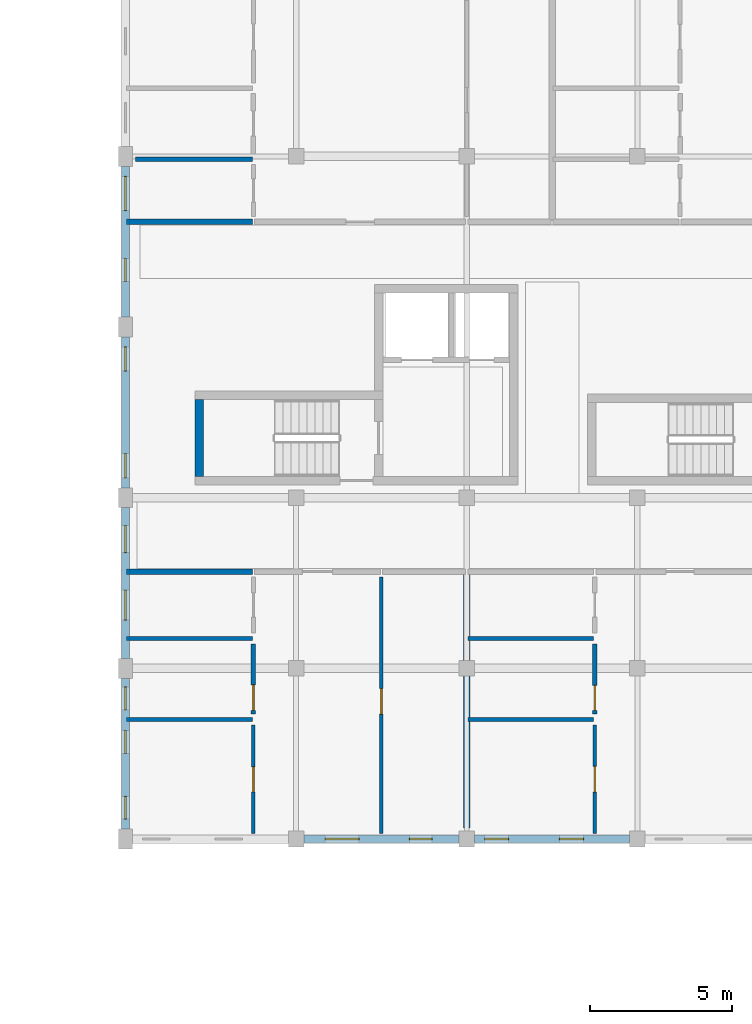
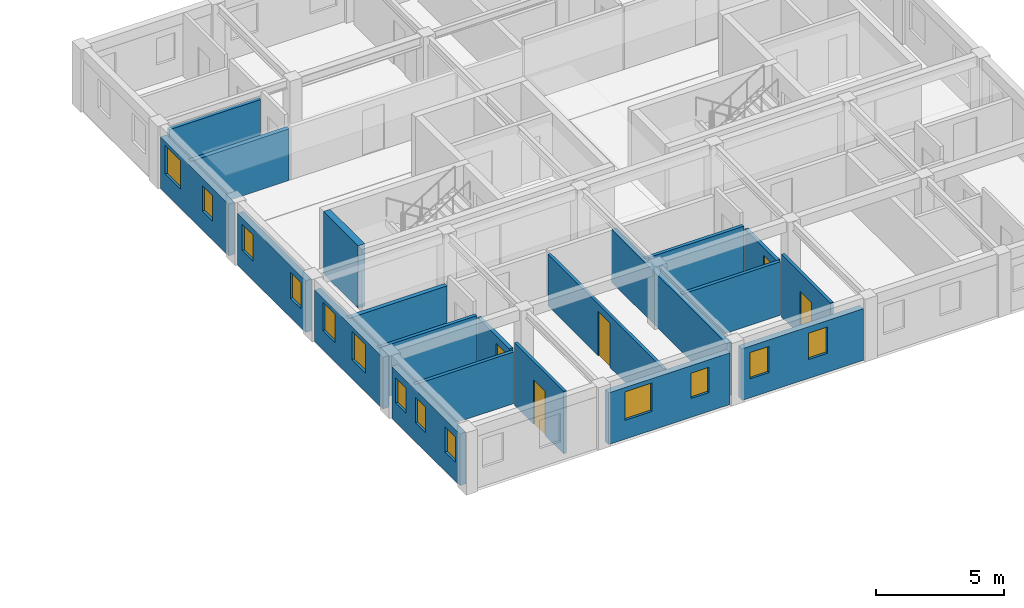
# One storey, part 20 of 28: 20 walls, 13 windows, 5 doors, 18 openings.
"""IFC4 building model written with IfcOpenShell, lengths in metres."""

import ifcopenshell
import ifcopenshell.guid

model = None  # the IFC model being written
_history = None  # IfcOwnerHistory: only IFC2X3 demands one
_inside = {}  # id of a spatial element -> (the spatial element, [elements in it])
_under = {}  # id of a project, library or spatial element -> (it, [spatial elements below it])
_declared = {}  # id of a project -> (the project, [libraries it declares])
_typed = {}  # id of a type object -> (the type object, [elements of that type])
_made_of = {}  # id of a material, layer set ... -> (it, [elements and type objects made of it])


def new_model(schema):
    """Start an empty IFC model of exactly this schema.

    Asked for "IFC4X3", IfcOpenShell would pick the latest addendum, in which some entities
    have other attributes; the version numbers below select the first issue.
    IFC2X3 requires an IfcOwnerHistory on every rooted entity: one is made here for all.
    """
    global model, _history
    if schema == "IFC4X3":
        model = ifcopenshell.file(schema_version=(4, 3, 0, 0))
    else:
        model = ifcopenshell.file(schema=schema)
    _inside.clear()
    _under.clear()
    _declared.clear()
    _typed.clear()
    _made_of.clear()
    _history = None
    if model.schema == "IFC2X3":
        org = make("IfcOrganization", Name="unknown")
        user = make(
            "IfcPersonAndOrganization",
            ThePerson=make("IfcPerson", FamilyName="unknown"),
            TheOrganization=org,
        )
        app = make(
            "IfcApplication",
            ApplicationDeveloper=org,
            Version="unknown",
            ApplicationFullName="unknown",
            ApplicationIdentifier="unknown",
        )
        _history = make(
            "IfcOwnerHistory",
            OwningUser=user,
            OwningApplication=app,
            ChangeAction="ADDED",
            CreationDate=0,
        )
    return model


def make(cls, **values):
    """One entity of the class cls with the attributes given. An attribute that is None is left unset."""
    return model.create_entity(
        cls, **{name: value for name, value in values.items() if value is not None}
    )


def rooted(cls, **values):
    """An entity with a GlobalId (a new one), such as an element, a storey or a relation."""
    return make(cls, GlobalId=ifcopenshell.guid.new(), OwnerHistory=_history, **values)


def si_unit(unit_type, name, prefix=None):
    """IfcSIUnit, for example si_unit("LENGTHUNIT", "METRE", prefix="MILLI")."""
    return make("IfcSIUnit", UnitType=unit_type, Prefix=prefix, Name=name)


def assignment(units):
    """IfcUnitAssignment: the units of a project."""
    return None if units is None else make("IfcUnitAssignment", Units=units)


def point(xyz):
    """IfcCartesianPoint."""
    return None if xyz is None else make("IfcCartesianPoint", Coordinates=xyz)


def direction(xyz):
    """IfcDirection."""
    return None if xyz is None else make("IfcDirection", DirectionRatios=xyz)


def frame(location, z_axis=None, x_axis=None):
    """IfcAxis2Placement3D, a coordinate frame: its origin and axes. An axis left out is left unset."""
    return make(
        "IfcAxis2Placement3D",
        Location=point(location),
        Axis=direction(z_axis),
        RefDirection=direction(x_axis),
    )


def frame_2d(location, x_axis=None):
    """IfcAxis2Placement2D, a coordinate frame in the plane: its origin and x axis."""
    return make(
        "IfcAxis2Placement2D", Location=point(location), RefDirection=direction(x_axis)
    )


def origin():
    """The frame at (0, 0, 0) with its axes left unset."""
    return frame((0.0, 0.0, 0.0))


def place(relative_to, where):
    """IfcLocalPlacement: puts the frame where relative to a parent placement (None: the world)."""
    return make(
        "IfcLocalPlacement", PlacementRelTo=relative_to, RelativePlacement=where
    )


def context(
    kind, dimensions, precision=None, world=None, true_north=None, identifier=None
):
    """IfcGeometricRepresentationContext, for example the 3D "Model" context."""
    return make(
        "IfcGeometricRepresentationContext",
        ContextIdentifier=identifier,
        ContextType=kind,
        CoordinateSpaceDimension=dimensions,
        Precision=precision,
        WorldCoordinateSystem=world,
        TrueNorth=true_north,
    )


def subcontext(parent, identifier, kind, view, scale=None):
    """IfcGeometricRepresentationSubContext, for example "Body" below "Model"."""
    return make(
        "IfcGeometricRepresentationSubContext",
        ContextIdentifier=identifier,
        ContextType=kind,
        ParentContext=parent,
        TargetScale=scale,
        TargetView=view,
    )


def project(units=None, contexts=None):
    """IfcProject with its units and contexts."""
    return rooted(
        "IfcProject",
        Name="project",
        RepresentationContexts=contexts,
        UnitsInContext=assignment(units),
    )


def spatial(cls, under=None, at=None, **own):
    """A site, building, storey or space (cls), placed at a placement, below another one or the project."""
    s = rooted(cls, ObjectPlacement=at, **own)
    if under is not None:
        _under.setdefault(under.id(), (under, []))[1].append(s)
    return s


def profile(cls, at=None, kind="AREA", **sizes):
    """A parametric profile (cls). Its sizes go by their IFC names, for example OverallWidth=200.0."""
    return make(cls, ProfileType=kind, Position=at, **sizes)


def rectangle(**sizes):
    """IfcRectangleProfileDef."""
    return profile("IfcRectangleProfileDef", **sizes)


def extrude(swept, where, along, depth):
    """IfcExtrudedAreaSolid: the profile swept, set in the frame where, extruded along a direction by depth."""
    return make(
        "IfcExtrudedAreaSolid",
        SweptArea=swept,
        Position=where,
        ExtrudedDirection=direction(along),
        Depth=depth,
    )


def shape(context_of_items, identifier, shape_type, items):
    """IfcShapeRepresentation: the items that make up one representation, for example the "Body"."""
    return make(
        "IfcShapeRepresentation",
        ContextOfItems=context_of_items,
        RepresentationIdentifier=identifier,
        RepresentationType=shape_type,
        Items=items,
    )


def material(Name=None, Category=None):
    """IfcMaterial."""
    return make("IfcMaterial", Name=Name, Category=Category)


def layer(
    of_material, thickness, ventilated=None, Name=None, Category=None, Priority=None
):
    """IfcMaterialLayer: one layer of a wall or slab, of a material (None: an air gap)."""
    return make(
        "IfcMaterialLayer",
        Material=of_material,
        LayerThickness=thickness,
        IsVentilated=ventilated,
        Name=Name,
        Category=Category,
        Priority=Priority,
    )


def layer_set(layers, Name=None):
    """IfcMaterialLayerSet."""
    return make("IfcMaterialLayerSet", MaterialLayers=layers, LayerSetName=Name)


def made_of(thing, what):
    """Note that an element or type object is made of a material, layer set ...; save() writes the relation."""
    if what is not None:
        _made_of.setdefault(what.id(), (what, []))[1].append(thing)
    return thing


def type_object(cls, material=None, **own):
    """A type object (cls), such as IfcWallType, which elements share."""
    return made_of(rooted(cls, **own), material)


def element(
    cls,
    number,
    at=None,
    inside=None,
    cuts=None,
    type_object=None,
    material=None,
    context=None,
    identifier="Body",
    shape_type=None,
    held_by="IfcProductDefinitionShape",
    body=None,
    shapes=None,
    **own,
):
    """One element of the class cls, such as IfcWall. Its Tag is "e" and its number.

    at: its placement. inside: the storey or other place that contains it. cuts: it is an
    opening in that element (IfcRelVoidsElement). A single representation is given by context,
    identifier, shape_type and body (its items); several are given by shapes. held_by: the class
    of the entity that holds the representations. save() writes the other relations.
    """
    e = rooted(cls, Tag="e%d" % number, ObjectPlacement=at, **own)
    if body is not None:
        shapes = [shape(context, identifier, shape_type, body)]
    if shapes is not None:
        e.Representation = make(held_by, Representations=shapes)
    if inside is not None:
        _inside.setdefault(inside.id(), (inside, []))[1].append(e)
    if cuts is not None:
        rooted(
            "IfcRelVoidsElement", RelatingBuildingElement=cuts, RelatedOpeningElement=e
        )
    if type_object is not None:
        _typed.setdefault(type_object.id(), (type_object, []))[1].append(e)
    return made_of(e, material)


def fill(opening, filler):
    """IfcRelFillsElement: the door or window that sits in an opening."""
    return rooted(
        "IfcRelFillsElement",
        RelatingOpeningElement=opening,
        RelatedBuildingElement=filler,
    )


def aggregate(whole, parts):
    """IfcRelAggregates: a whole, such as a stair, and the parts it consists of."""
    return rooted("IfcRelAggregates", RelatingObject=whole, RelatedObjects=parts)


def save(model, path):
    """Write the relations noted so far, then the file.

    IfcRelAggregates (storeys below a building ...), IfcRelContainedInSpatialStructure (elements
    in a storey), IfcRelDefinesByType, IfcRelAssociatesMaterial and IfcRelDeclares: one each for
    every whole, place, type object, material and project.
    """
    for whole, parts in _under.values():
        aggregate(whole, parts)
    for where, things in _inside.values():
        rooted(
            "IfcRelContainedInSpatialStructure",
            RelatedElements=things,
            RelatingStructure=where,
        )
    for kind, things in _typed.values():
        rooted("IfcRelDefinesByType", RelatedObjects=things, RelatingType=kind)
    for what, things in _made_of.values():
        rooted("IfcRelAssociatesMaterial", RelatedObjects=things, RelatingMaterial=what)
    for by, libraries in _declared.values():
        rooted("IfcRelDeclares", RelatingContext=by, RelatedDefinitions=libraries)
    model.write(path)


model = new_model("IFC4")

# Units and contexts
model_context = context("Model", 3, precision=1e-05, world=origin(), true_north=direction((0.0, 1.0)))
body_context = subcontext(model_context, "Body", "Model", "MODEL_VIEW")
ifc_project = project(units=[si_unit("LENGTHUNIT", "METRE"), si_unit("AREAUNIT", "SQUARE_METRE"), si_unit("VOLUMEUNIT", "CUBIC_METRE"), si_unit("PLANEANGLEUNIT", "RADIAN"), si_unit("MASSUNIT", "GRAM", prefix="KILO"), si_unit("POWERUNIT", "WATT"), si_unit("THERMODYNAMICTEMPERATUREUNIT", "KELVIN")], contexts=[model_context])

# Site, building, storey
site_placement = place(None, origin())
site = spatial("IfcSite", under=ifc_project, at=site_placement, CompositionType="ELEMENT")
building_placement = place(site_placement, origin())
building = spatial("IfcBuilding", under=site, at=building_placement, Name="Ruvembo Vaulted Housing Court", CompositionType="ELEMENT")
storey_placement = place(building_placement, frame((0.0, 0.0, 23.699951171875)))
storey = spatial("IfcBuildingStorey", under=building, at=storey_placement, Name="L07", CompositionType="ELEMENT", Elevation=23.699951171875)

# Walls
ifc_material_1 = material(Name="Concrete C35/45", Category="concrete")
ifc_layer_1 = layer(ifc_material_1, 0.300048828125, Name="Concrete C35/45")
ifc_layer_set_1 = layer_set([ifc_layer_1], Name="Concrete C35/45")
wall_type_1 = type_object("IfcWallType", Name="WL-CORE-300", PredefinedType="SHEAR", material=ifc_layer_set_1)
wall_1_placement = place(storey_placement, frame((158.60009765625, 87.449951171875, 0.0), z_axis=(0.0, 0.0, 1.0), x_axis=(0.0, -1.0, 0.0)))
element("IfcWall", 1, at=wall_1_placement, inside=storey, type_object=wall_type_1, Name="Core D1 L07 Stair West Shear Wall", PredefinedType="SHEAR", context=body_context, shape_type="SweptSolid", body=[
    extrude(rectangle(XDim=2.699951171875, YDim=0.300048828125, at=frame_2d((1.35009765625, 0.0))), origin(), (0.0, 0.0, 1.0), 2.97509765625),
])
ifc_material_2 = material(Name="Concrete Blockwork 190", Category="masonry")
ifc_layer_2 = layer(ifc_material_2, 0.18994140625, Name="Concrete Blockwork 190")
ifc_layer_set_2 = layer_set([ifc_layer_2], Name="Concrete Blockwork 190")
wall_type_2 = type_object("IfcWallType", Name="WL-CORR-190", PredefinedType="SOLIDWALL", material=ifc_layer_set_2)
for number, where, z_axis, x_axis, name in (
    (2, (156.0400390625, 81.39990234375, 0.0), (0.0, 0.0, 1.0), (1.0, 0.0, 0.0), "L07 Flat D-L07-S1 Corridor Wall WL-INT-L07-01974"),
    (3, (156.0400390625, 93.699951171875, 0.0), (0.0, 0.0, 1.0), (1.0, 0.0, 0.0), "L07 Flat D-L07-N1 Corridor Wall WL-INT-L07-01999"),
):
    element("IfcWall", number, at=place(storey_placement, frame(where, z_axis=z_axis, x_axis=x_axis)), inside=storey, type_object=wall_type_2, Name=name, PredefinedType="SOLIDWALL", context=body_context, shape_type="SweptSolid", body=[
        extrude(rectangle(XDim=4.419921875, YDim=0.18994140625, at=frame_2d((2.2099609375, 0.0))), origin(), (0.0, 0.0, 1.0), 2.45703125),
    ])
ifc_material_3 = material(Name="Acoustic Masonry Demising 230", Category="masonry")
ifc_layer_3 = layer(ifc_material_3, 0.22998046875, Name="Acoustic Masonry Demising 230")
ifc_layer_set_3 = layer_set([ifc_layer_3], Name="Acoustic Masonry Demising 230")
wall_type_3 = type_object("IfcWallType", Name="WL-DEM-230", PredefinedType="SOLIDWALL", material=ifc_layer_set_3)
wall_2_placement = place(storey_placement, frame((168.0, 72.389892578125, 0.0), z_axis=(0.0, 0.0, 1.0), x_axis=(0.0, 1.0, 0.0)))
element("IfcWall", 4, at=wall_2_placement, inside=storey, type_object=wall_type_3, Name="L07 Demising D-L07-S1 WL-INT-L07-01973", PredefinedType="SOLIDWALL", context=body_context, shape_type="SweptSolid", body=[
    extrude(rectangle(XDim=8.97021484375, YDim=0.22998046875, at=frame_2d((4.485107421875, 0.0))), origin(), (0.0, 0.0, 1.0), 2.508056640625),
])

# Wall, openings, windows
ifc_material_4 = material(Name="Rendered Masonry 270", Category="masonry")
ifc_layer_4 = layer(ifc_material_4, 0.27001953125, Name="Rendered Masonry 270")
ifc_layer_set_4 = layer_set([ifc_layer_4], Name="Rendered Masonry 270")
wall_type_4 = type_object("IfcWallType", Name="WL-EXT-270", PredefinedType="STANDARD", material=ifc_layer_set_4)
wall_3_placement = place(storey_placement, frame((162.27490234375, 72.0, 0.0), z_axis=(0.0, 0.0, 1.0), x_axis=(1.0, 0.0, 0.0)))
wall_3 = element("IfcWall", 5, at=wall_3_placement, inside=storey, type_object=wall_type_4, Name="Block D L07 Exterior Wall COURTYARD #2", PredefinedType="STANDARD", context=body_context, shape_type="SweptSolid", body=[
    extrude(rectangle(XDim=5.4501953125, YDim=0.27001953125, at=frame_2d((2.72509765625, 0.0))), origin(), (0.0, 0.0, 1.0), 2.45703125),
])
opening_1_placement = place(wall_3_placement, frame((0.742431640625, 0.0, 0.89990234375)))
opening_1 = element("IfcOpeningElement", 6, at=opening_1_placement, cuts=wall_3, Name="Opening W12", PredefinedType="OPENING", context=body_context, shape_type="SweptSolid", body=[
    extrude(rectangle(XDim=1.199951171875, YDim=1.35009765625, at=frame_2d((0.60009765625, 0.675048828125))), frame((0.0, 0.14501953125, 0.0), z_axis=(0.0, -1.0, 0.0), x_axis=(1.0, 0.0, 0.0)), (0.0, 0.0, 1.0), 0.2900390625),
])
opening_2_placement = place(wall_3_placement, frame((3.70751953125, 0.0, 0.89990234375)))
opening_2 = element("IfcOpeningElement", 7, at=opening_2_placement, cuts=wall_3, Name="Opening W02", PredefinedType="OPENING", context=body_context, shape_type="SweptSolid", body=[
    extrude(rectangle(XDim=0.800048828125, YDim=1.199951171875, at=frame_2d((0.39990234375, 0.60009765625))), frame((0.0, 0.14501953125, 0.0), z_axis=(0.0, -1.0, 0.0), x_axis=(1.0, 0.0, 0.0)), (0.0, 0.0, 1.0), 0.2900390625),
])
ifc_material_5 = material(Name="Double Solar-Control Glazing in Aluminium Frame", Category="aluminium")
window_type_1 = type_object("IfcWindowType", Name="WIN-0800x1200", PartitioningType="SINGLE_PANEL", PredefinedType="WINDOW", material=ifc_material_5)
window_1_placement = place(opening_2_placement, origin())
window_1 = element("IfcWindow", 8, at=window_1_placement, inside=storey, type_object=window_type_1, Name="Block D L07 Window #1746", OverallHeight=1.199951171875, OverallWidth=0.800048828125, PartitioningType="SINGLE_PANEL", PredefinedType="WINDOW", context=body_context, shape_type="SweptSolid", body=[
    extrude(rectangle(XDim=0.800048828125, YDim=1.199951171875, at=frame_2d((0.39990234375, 0.60009765625))), frame((0.0, 0.030029296875, 0.0), z_axis=(0.0, -1.0, 0.0), x_axis=(1.0, 0.0, 0.0)), (0.0, 0.0, 1.0), 0.06005859375),
])
fill(opening_2, window_1)
window_type_2 = type_object("IfcWindowType", Name="WIN-1200x1350", PartitioningType="SINGLE_PANEL", PredefinedType="WINDOW", material=ifc_material_5)
window_2_placement = place(opening_1_placement, origin())
window_2 = element("IfcWindow", 9, at=window_2_placement, inside=storey, type_object=window_type_2, Name="Block D L07 Window #1745", OverallHeight=1.35009765625, OverallWidth=1.199951171875, PartitioningType="SINGLE_PANEL", PredefinedType="WINDOW", context=body_context, shape_type="SweptSolid", body=[
    extrude(rectangle(XDim=1.199951171875, YDim=1.35009765625, at=frame_2d((0.60009765625, 0.675048828125))), frame((0.0, 0.030029296875, 0.0), z_axis=(0.0, -1.0, 0.0), x_axis=(1.0, 0.0, 0.0)), (0.0, 0.0, 1.0), 0.06005859375),
])
fill(opening_1, window_2)

wall_4_placement = place(storey_placement, frame((168.27490234375, 72.0, 0.0), z_axis=(0.0, 0.0, 1.0), x_axis=(1.0, 0.0, 0.0)))
wall_4 = element("IfcWall", 10, at=wall_4_placement, inside=storey, type_object=wall_type_4, Name="Block D L07 Exterior Wall COURTYARD #3", PredefinedType="STANDARD", context=body_context, shape_type="SweptSolid", body=[
    extrude(rectangle(XDim=5.4501953125, YDim=0.27001953125, at=frame_2d((2.72509765625, 0.0))), origin(), (0.0, 0.0, 1.0), 2.45703125),
])
opening_3_placement = place(wall_4_placement, frame((0.35009765625, 0.0, 0.89990234375)))
opening_3 = element("IfcOpeningElement", 11, at=opening_3_placement, cuts=wall_4, Name="Opening W03", PredefinedType="OPENING", context=body_context, shape_type="SweptSolid", body=[
    extrude(rectangle(XDim=0.85009765625, YDim=1.25, at=frame_2d((0.425048828125, 0.625))), frame((0.0, 0.14501953125, 0.0), z_axis=(0.0, -1.0, 0.0), x_axis=(1.0, 0.0, 0.0)), (0.0, 0.0, 1.0), 0.2900390625),
])
opening_4_placement = place(wall_4_placement, frame((2.985107421875, 0.0, 0.89990234375)))
opening_4 = element("IfcOpeningElement", 12, at=opening_4_placement, cuts=wall_4, Name="Opening W03", PredefinedType="OPENING", context=body_context, shape_type="SweptSolid", body=[
    extrude(rectangle(XDim=0.85009765625, YDim=1.25, at=frame_2d((0.425048828125, 0.625))), frame((0.0, 0.14501953125, 0.0), z_axis=(0.0, -1.0, 0.0), x_axis=(1.0, 0.0, 0.0)), (0.0, 0.0, 1.0), 0.2900390625),
])
window_type_3 = type_object("IfcWindowType", Name="WIN-0850x1250", PartitioningType="SINGLE_PANEL", PredefinedType="WINDOW", material=ifc_material_5)
window_3_placement = place(opening_3_placement, origin())
window_3 = element("IfcWindow", 13, at=window_3_placement, inside=storey, type_object=window_type_3, Name="Block D L07 Window #1747", OverallHeight=1.25, OverallWidth=0.85009765625, PartitioningType="SINGLE_PANEL", PredefinedType="WINDOW", context=body_context, shape_type="SweptSolid", body=[
    extrude(rectangle(XDim=0.85009765625, YDim=1.25, at=frame_2d((0.425048828125, 0.625))), frame((0.0, 0.030029296875, 0.0), z_axis=(0.0, -1.0, 0.0), x_axis=(1.0, 0.0, 0.0)), (0.0, 0.0, 1.0), 0.06005859375),
])
fill(opening_3, window_3)
window_4_placement = place(opening_4_placement, origin())
window_4 = element("IfcWindow", 14, at=window_4_placement, inside=storey, type_object=window_type_3, Name="Block D L07 Window #1748", OverallHeight=1.25, OverallWidth=0.85009765625, PartitioningType="SINGLE_PANEL", PredefinedType="WINDOW", context=body_context, shape_type="SweptSolid", body=[
    extrude(rectangle(XDim=0.85009765625, YDim=1.25, at=frame_2d((0.425048828125, 0.625))), frame((0.0, 0.030029296875, 0.0), z_axis=(0.0, -1.0, 0.0), x_axis=(1.0, 0.0, 0.0)), (0.0, 0.0, 1.0), 0.06005859375),
])
fill(opening_4, window_4)

wall_5_placement = place(storey_placement, frame((156.0, 95.64990234375, 0.0), z_axis=(0.0, 0.0, 1.0), x_axis=(0.0, -1.0, 0.0)))
wall_5 = element("IfcWall", 15, at=wall_5_placement, inside=storey, type_object=wall_type_4, Name="Block D L07 Exterior Wall WEST #2", PredefinedType="STANDARD", context=body_context, shape_type="SweptSolid", body=[
    extrude(rectangle(XDim=5.2998046875, YDim=0.27001953125, at=frame_2d((2.64990234375, 0.0))), origin(), (0.0, 0.0, 1.0), 2.45703125),
])
opening_5_placement = place(wall_5_placement, frame((0.35498046875, 0.0, 0.89990234375)))
opening_5 = element("IfcOpeningElement", 16, at=opening_5_placement, cuts=wall_5, Name="Opening W12", PredefinedType="OPENING", context=body_context, shape_type="SweptSolid", body=[
    extrude(rectangle(XDim=1.199951171875, YDim=1.35009765625, at=frame_2d((0.60009765625, 0.675048828125))), frame((0.0, 0.14501953125, 0.0), z_axis=(0.0, -1.0, 0.0), x_axis=(1.0, 0.0, 0.0)), (0.0, 0.0, 1.0), 0.2900390625),
])
opening_6_placement = place(wall_5_placement, frame((3.2451171875, 0.0, 0.89990234375)))
opening_6 = element("IfcOpeningElement", 17, at=opening_6_placement, cuts=wall_5, Name="Opening W02", PredefinedType="OPENING", context=body_context, shape_type="SweptSolid", body=[
    extrude(rectangle(XDim=0.800048828125, YDim=1.199951171875, at=frame_2d((0.39990234375, 0.60009765625))), frame((0.0, 0.14501953125, 0.0), z_axis=(0.0, -1.0, 0.0), x_axis=(1.0, 0.0, 0.0)), (0.0, 0.0, 1.0), 0.2900390625),
])
window_5_placement = place(opening_6_placement, origin())
window_5 = element("IfcWindow", 18, at=window_5_placement, inside=storey, type_object=window_type_1, Name="Block D L07 Window #1776", OverallHeight=1.199951171875, OverallWidth=0.800048828125, PartitioningType="SINGLE_PANEL", PredefinedType="WINDOW", context=body_context, shape_type="SweptSolid", body=[
    extrude(rectangle(XDim=0.800048828125, YDim=1.199951171875, at=frame_2d((0.39990234375, 0.60009765625))), frame((0.0, 0.030029296875, 0.0), z_axis=(0.0, -1.0, 0.0), x_axis=(1.0, 0.0, 0.0)), (0.0, 0.0, 1.0), 0.06005859375),
])
fill(opening_6, window_5)
window_6_placement = place(opening_5_placement, origin())
window_6 = element("IfcWindow", 19, at=window_6_placement, inside=storey, type_object=window_type_2, Name="Block D L07 Window #1775", OverallHeight=1.35009765625, OverallWidth=1.199951171875, PartitioningType="SINGLE_PANEL", PredefinedType="WINDOW", context=body_context, shape_type="SweptSolid", body=[
    extrude(rectangle(XDim=1.199951171875, YDim=1.35009765625, at=frame_2d((0.60009765625, 0.675048828125))), frame((0.0, 0.030029296875, 0.0), z_axis=(0.0, -1.0, 0.0), x_axis=(1.0, 0.0, 0.0)), (0.0, 0.0, 1.0), 0.06005859375),
])
fill(opening_5, window_6)

wall_6_placement = place(storey_placement, frame((156.0, 89.64990234375, 0.0), z_axis=(0.0, 0.0, 1.0), x_axis=(0.0, -1.0, 0.0)))
wall_6 = element("IfcWall", 20, at=wall_6_placement, inside=storey, type_object=wall_type_4, Name="Block D L07 Exterior Wall WEST #3", PredefinedType="STANDARD", context=body_context, shape_type="SweptSolid", body=[
    extrude(rectangle(XDim=5.2998046875, YDim=0.27001953125, at=frame_2d((2.64990234375, 0.0))), origin(), (0.0, 0.0, 1.0), 2.45703125),
])
opening_7_placement = place(wall_6_placement, frame((0.35009765625, 0.0, 0.89990234375)))
opening_7 = element("IfcOpeningElement", 21, at=opening_7_placement, cuts=wall_6, Name="Opening W03", PredefinedType="OPENING", context=body_context, shape_type="SweptSolid", body=[
    extrude(rectangle(XDim=0.85009765625, YDim=1.25, at=frame_2d((0.425048828125, 0.625))), frame((0.0, 0.14501953125, 0.0), z_axis=(0.0, -1.0, 0.0), x_axis=(1.0, 0.0, 0.0)), (0.0, 0.0, 1.0), 0.2900390625),
])
opening_8_placement = place(wall_6_placement, frame((4.10009765625, 0.0, 0.89990234375)))
opening_8 = element("IfcOpeningElement", 22, at=opening_8_placement, cuts=wall_6, Name="Opening W03", PredefinedType="OPENING", context=body_context, shape_type="SweptSolid", body=[
    extrude(rectangle(XDim=0.85009765625, YDim=1.25, at=frame_2d((0.425048828125, 0.625))), frame((0.0, 0.14501953125, 0.0), z_axis=(0.0, -1.0, 0.0), x_axis=(1.0, 0.0, 0.0)), (0.0, 0.0, 1.0), 0.2900390625),
])
window_7_placement = place(opening_7_placement, origin())
window_7 = element("IfcWindow", 23, at=window_7_placement, inside=storey, type_object=window_type_3, Name="Block D L07 Window #1777", OverallHeight=1.25, OverallWidth=0.85009765625, PartitioningType="SINGLE_PANEL", PredefinedType="WINDOW", context=body_context, shape_type="SweptSolid", body=[
    extrude(rectangle(XDim=0.85009765625, YDim=1.25, at=frame_2d((0.425048828125, 0.625))), frame((0.0, 0.030029296875, 0.0), z_axis=(0.0, -1.0, 0.0), x_axis=(1.0, 0.0, 0.0)), (0.0, 0.0, 1.0), 0.06005859375),
])
fill(opening_7, window_7)
window_8_placement = place(opening_8_placement, origin())
window_8 = element("IfcWindow", 24, at=window_8_placement, inside=storey, type_object=window_type_3, Name="Block D L07 Window #1778", OverallHeight=1.25, OverallWidth=0.85009765625, PartitioningType="SINGLE_PANEL", PredefinedType="WINDOW", context=body_context, shape_type="SweptSolid", body=[
    extrude(rectangle(XDim=0.85009765625, YDim=1.25, at=frame_2d((0.425048828125, 0.625))), frame((0.0, 0.030029296875, 0.0), z_axis=(0.0, -1.0, 0.0), x_axis=(1.0, 0.0, 0.0)), (0.0, 0.0, 1.0), 0.06005859375),
])
fill(opening_8, window_8)

wall_7_placement = place(storey_placement, frame((156.0, 83.64990234375, 0.0), z_axis=(0.0, 0.0, 1.0), x_axis=(0.0, -1.0, 0.0)))
wall_7 = element("IfcWall", 25, at=wall_7_placement, inside=storey, type_object=wall_type_4, Name="Block D L07 Exterior Wall WEST #4", PredefinedType="STANDARD", context=body_context, shape_type="SweptSolid", body=[
    extrude(rectangle(XDim=5.2998046875, YDim=0.27001953125, at=frame_2d((2.64990234375, 0.0))), origin(), (0.0, 0.0, 1.0), 2.45703125),
])
opening_9_placement = place(wall_7_placement, frame((0.6298828125, 0.0, 0.89990234375)))
opening_9 = element("IfcOpeningElement", 26, at=opening_9_placement, cuts=wall_7, Name="Opening W07", PredefinedType="OPENING", context=body_context, shape_type="SweptSolid", body=[
    extrude(rectangle(XDim=0.949951171875, YDim=1.35009765625, at=frame_2d((0.47509765625, 0.675048828125))), frame((0.0, 0.14501953125, 0.0), z_axis=(0.0, -1.0, 0.0), x_axis=(1.0, 0.0, 0.0)), (0.0, 0.0, 1.0), 0.2900390625),
])
opening_10_placement = place(wall_7_placement, frame((2.89990234375, 0.0, 0.89990234375)))
opening_10 = element("IfcOpeningElement", 27, at=opening_10_placement, cuts=wall_7, Name="Opening W09", PredefinedType="OPENING", context=body_context, shape_type="SweptSolid", body=[
    extrude(rectangle(XDim=1.050048828125, YDim=1.35009765625, at=frame_2d((0.52490234375, 0.675048828125))), frame((0.0, 0.14501953125, 0.0), z_axis=(0.0, -1.0, 0.0), x_axis=(1.0, 0.0, 0.0)), (0.0, 0.0, 1.0), 0.2900390625),
])
window_type_4 = type_object("IfcWindowType", Name="WIN-0950x1350", PartitioningType="SINGLE_PANEL", PredefinedType="WINDOW", material=ifc_material_5)
window_9_placement = place(opening_9_placement, origin())
window_9 = element("IfcWindow", 28, at=window_9_placement, inside=storey, type_object=window_type_4, Name="Block D L07 Window #1779", OverallHeight=1.35009765625, OverallWidth=0.949951171875, PartitioningType="SINGLE_PANEL", PredefinedType="WINDOW", context=body_context, shape_type="SweptSolid", body=[
    extrude(rectangle(XDim=0.949951171875, YDim=1.35009765625, at=frame_2d((0.47509765625, 0.675048828125))), frame((0.0, 0.030029296875, 0.0), z_axis=(0.0, -1.0, 0.0), x_axis=(1.0, 0.0, 0.0)), (0.0, 0.0, 1.0), 0.06005859375),
])
fill(opening_9, window_9)
window_type_5 = type_object("IfcWindowType", Name="WIN-1050x1350", PartitioningType="SINGLE_PANEL", PredefinedType="WINDOW", material=ifc_material_5)
window_10_placement = place(opening_10_placement, origin())
window_10 = element("IfcWindow", 29, at=window_10_placement, inside=storey, type_object=window_type_5, Name="Block D L07 Window #1780", OverallHeight=1.35009765625, OverallWidth=1.050048828125, PartitioningType="SINGLE_PANEL", PredefinedType="WINDOW", context=body_context, shape_type="SweptSolid", body=[
    extrude(rectangle(XDim=1.050048828125, YDim=1.35009765625, at=frame_2d((0.52490234375, 0.675048828125))), frame((0.0, 0.030029296875, 0.0), z_axis=(0.0, -1.0, 0.0), x_axis=(1.0, 0.0, 0.0)), (0.0, 0.0, 1.0), 0.06005859375),
])
fill(opening_10, window_10)

wall_8_placement = place(storey_placement, frame((156.0, 77.64990234375, 0.0), z_axis=(0.0, 0.0, 1.0), x_axis=(0.0, -1.0, 0.0)))
wall_8 = element("IfcWall", 30, at=wall_8_placement, inside=storey, type_object=wall_type_4, Name="Block D L07 Exterior Wall WEST #5", PredefinedType="STANDARD", context=body_context, shape_type="SweptSolid", body=[
    extrude(rectangle(XDim=5.2998046875, YDim=0.27001953125, at=frame_2d((2.64990234375, 0.0))), origin(), (0.0, 0.0, 1.0), 2.45703125),
])
opening_11_placement = place(wall_8_placement, frame((0.304931640625, 0.0, 0.89990234375)))
opening_11 = element("IfcOpeningElement", 31, at=opening_11_placement, cuts=wall_8, Name="Opening W02", PredefinedType="OPENING", context=body_context, shape_type="SweptSolid", body=[
    extrude(rectangle(XDim=0.800048828125, YDim=1.199951171875, at=frame_2d((0.39990234375, 0.60009765625))), frame((0.0, 0.14501953125, 0.0), z_axis=(0.0, -1.0, 0.0), x_axis=(1.0, 0.0, 0.0)), (0.0, 0.0, 1.0), 0.2900390625),
])
opening_12_placement = place(wall_8_placement, frame((1.840087890625, 0.0, 0.89990234375)))
opening_12 = element("IfcOpeningElement", 32, at=opening_12_placement, cuts=wall_8, Name="Opening W02", PredefinedType="OPENING", context=body_context, shape_type="SweptSolid", body=[
    extrude(rectangle(XDim=0.800048828125, YDim=1.199951171875, at=frame_2d((0.39990234375, 0.60009765625))), frame((0.0, 0.14501953125, 0.0), z_axis=(0.0, -1.0, 0.0), x_axis=(1.0, 0.0, 0.0)), (0.0, 0.0, 1.0), 0.2900390625),
])
opening_13_placement = place(wall_8_placement, frame((4.14990234375, 0.0, 0.89990234375)))
opening_13 = element("IfcOpeningElement", 33, at=opening_13_placement, cuts=wall_8, Name="Opening W02", PredefinedType="OPENING", context=body_context, shape_type="SweptSolid", body=[
    extrude(rectangle(XDim=0.800048828125, YDim=1.199951171875, at=frame_2d((0.39990234375, 0.60009765625))), frame((0.0, 0.14501953125, 0.0), z_axis=(0.0, -1.0, 0.0), x_axis=(1.0, 0.0, 0.0)), (0.0, 0.0, 1.0), 0.2900390625),
])
window_11_placement = place(opening_11_placement, origin())
window_11 = element("IfcWindow", 34, at=window_11_placement, inside=storey, type_object=window_type_1, Name="Block D L07 Window #1781", OverallHeight=1.199951171875, OverallWidth=0.800048828125, PartitioningType="SINGLE_PANEL", PredefinedType="WINDOW", context=body_context, shape_type="SweptSolid", body=[
    extrude(rectangle(XDim=0.800048828125, YDim=1.199951171875, at=frame_2d((0.39990234375, 0.60009765625))), frame((0.0, 0.030029296875, 0.0), z_axis=(0.0, -1.0, 0.0), x_axis=(1.0, 0.0, 0.0)), (0.0, 0.0, 1.0), 0.06005859375),
])
fill(opening_11, window_11)
window_12_placement = place(opening_12_placement, origin())
window_12 = element("IfcWindow", 35, at=window_12_placement, inside=storey, type_object=window_type_1, Name="Block D L07 Window #1782", OverallHeight=1.199951171875, OverallWidth=0.800048828125, PartitioningType="SINGLE_PANEL", PredefinedType="WINDOW", context=body_context, shape_type="SweptSolid", body=[
    extrude(rectangle(XDim=0.800048828125, YDim=1.199951171875, at=frame_2d((0.39990234375, 0.60009765625))), frame((0.0, 0.030029296875, 0.0), z_axis=(0.0, -1.0, 0.0), x_axis=(1.0, 0.0, 0.0)), (0.0, 0.0, 1.0), 0.06005859375),
])
fill(opening_12, window_12)
window_13_placement = place(opening_13_placement, origin())
window_13 = element("IfcWindow", 36, at=window_13_placement, inside=storey, type_object=window_type_1, Name="Block D L07 Window #1783", OverallHeight=1.199951171875, OverallWidth=0.800048828125, PartitioningType="SINGLE_PANEL", PredefinedType="WINDOW", context=body_context, shape_type="SweptSolid", body=[
    extrude(rectangle(XDim=0.800048828125, YDim=1.199951171875, at=frame_2d((0.39990234375, 0.60009765625))), frame((0.0, 0.030029296875, 0.0), z_axis=(0.0, -1.0, 0.0), x_axis=(1.0, 0.0, 0.0)), (0.0, 0.0, 1.0), 0.06005859375),
])
fill(opening_13, window_13)

# Wall, opening, door
ifc_material_6 = material(Name="Plasterboard Stud Partition 125", Category="gypsum")
ifc_layer_5 = layer(ifc_material_6, 0.125, Name="Plasterboard Stud Partition 125")
ifc_layer_set_5 = layer_set([ifc_layer_5], Name="Plasterboard Stud Partition 125")
wall_type_5 = type_object("IfcWallType", Name="WL-PART-125", PredefinedType="PARTITIONING", material=ifc_layer_set_5)
wall_9_placement = place(storey_placement, frame((160.5, 72.18994140625, 0.0), z_axis=(0.0, 0.0, 1.0), x_axis=(0.0, 1.0, 0.0)))
wall_9 = element("IfcWall", 37, at=wall_9_placement, inside=storey, type_object=wall_type_5, Name="L07 Flat D-L07-S1 Bedroom 1 WL-INT-L07-01976", PredefinedType="PARTITIONING", context=body_context, shape_type="SweptSolid", body=[
    extrude(rectangle(XDim=3.820068359375, YDim=0.125, at=frame_2d((1.91015625, 0.0))), origin(), (0.0, 0.0, 1.0), 2.97509765625),
])
opening_14_placement = place(wall_9_placement, frame((1.469970703125, 0.0, 0.0)))
opening_14 = element("IfcOpeningElement", 38, at=opening_14_placement, cuts=wall_9, Name="Opening ID3", PredefinedType="OPENING", context=body_context, shape_type="SweptSolid", body=[
    extrude(rectangle(XDim=0.8798828125, YDim=2.10009765625, at=frame_2d((0.43994140625, 1.050048828125))), frame((0.0, 0.072509765625, 0.0), z_axis=(0.0, -1.0, 0.0), x_axis=(1.0, 0.0, 0.0)), (0.0, 0.0, 1.0), 0.14501953125),
])
ifc_material_7 = material(Name="FSC Hardwood and Engineered Timber", Category="wood")
door_type_1 = type_object("IfcDoorType", Name="DR-ROOM-0880x2100", OperationType="NOTDEFINED", PredefinedType="DOOR", material=ifc_material_7)
door_1_placement = place(opening_14_placement, origin())
door_1 = element("IfcDoor", 39, at=door_1_placement, inside=storey, type_object=door_type_1, Name="L07 Flat D-L07-S1 Bedroom 1 Door DR-INT-L07-01107", OperationType="SINGLE_SWING_LEFT", OverallHeight=2.10009765625, OverallWidth=0.8798828125, PredefinedType="DOOR", context=body_context, shape_type="SweptSolid", body=[
    extrude(rectangle(XDim=0.8798828125, YDim=2.10009765625, at=frame_2d((0.43994140625, 1.050048828125))), frame((0.0, 0.02490234375, 0.0), z_axis=(0.0, -1.0, 0.0), x_axis=(1.0, 0.0, 0.0)), (0.0, 0.0, 1.0), 0.050048828125),
])
fill(opening_14, door_1)

wall_10_placement = place(storey_placement, frame((165.0, 72.18994140625, 0.0), z_axis=(0.0, 0.0, 1.0), x_axis=(0.0, 1.0, 0.0)))
wall_10 = element("IfcWall", 40, at=wall_10_placement, inside=storey, type_object=wall_type_5, Name="L07 Flat D-L07-S1 Bedroom 2 WL-INT-L07-01982", PredefinedType="PARTITIONING", context=body_context, shape_type="SweptSolid", body=[
    extrude(rectangle(XDim=9.02001953125, YDim=0.125, at=frame_2d((4.510009765625, 0.0))), origin(), (0.0, 0.0, 1.0), 2.45703125),
])
opening_15_placement = place(wall_10_placement, frame((4.199951171875, 0.0, 0.0)))
opening_15 = element("IfcOpeningElement", 41, at=opening_15_placement, cuts=wall_10, Name="Opening ID1", PredefinedType="OPENING", context=body_context, shape_type="SweptSolid", body=[
    extrude(rectangle(XDim=0.89990234375, YDim=2.10009765625, at=frame_2d((0.449951171875, 1.050048828125))), frame((0.0, 0.072509765625, 0.0), z_axis=(0.0, -1.0, 0.0), x_axis=(1.0, 0.0, 0.0)), (0.0, 0.0, 1.0), 0.14501953125),
])
door_type_2 = type_object("IfcDoorType", Name="DR-ROOM-0900x2100", OperationType="NOTDEFINED", PredefinedType="DOOR", material=ifc_material_7)
door_2_placement = place(opening_15_placement, origin())
door_2 = element("IfcDoor", 42, at=door_2_placement, inside=storey, type_object=door_type_2, Name="L07 Flat D-L07-S1 Bedroom 2 Door DR-INT-L07-01110", OperationType="SINGLE_SWING_RIGHT", OverallHeight=2.10009765625, OverallWidth=0.89990234375, PredefinedType="DOOR", context=body_context, shape_type="SweptSolid", body=[
    extrude(rectangle(XDim=0.89990234375, YDim=2.10009765625, at=frame_2d((0.449951171875, 1.050048828125))), frame((0.0, 0.02490234375, 0.0), z_axis=(0.0, -1.0, 0.0), x_axis=(1.0, 0.0, 0.0)), (0.0, 0.0, 1.0), 0.050048828125),
])
fill(opening_15, door_2)

ifc_material_8 = material(Name="Acoustic Stud Partition 135", Category="gypsum")
ifc_layer_6 = layer(ifc_material_8, 0.135009765625, Name="Acoustic Stud Partition 135")
ifc_layer_set_6 = layer_set([ifc_layer_6], Name="Acoustic Stud Partition 135")
wall_type_6 = type_object("IfcWallType", Name="WL-PART-135", PredefinedType="PARTITIONING", material=ifc_layer_set_6)
wall_11_placement = place(storey_placement, frame((172.5, 72.18994140625, 0.0), z_axis=(0.0, 0.0, 1.0), x_axis=(0.0, 1.0, 0.0)))
wall_11 = element("IfcWall", 43, at=wall_11_placement, inside=storey, type_object=wall_type_6, Name="L07 Flat D-L07-S2 Bedroom 1 WL-INT-L07-01986", PredefinedType="PARTITIONING", context=body_context, shape_type="SweptSolid", body=[
    extrude(rectangle(XDim=3.820068359375, YDim=0.135009765625, at=frame_2d((1.91015625, 0.0))), origin(), (0.0, 0.0, 1.0), 2.97509765625),
])
opening_16_placement = place(wall_11_placement, frame((1.4599609375, 0.0, 0.0)))
opening_16 = element("IfcOpeningElement", 44, at=opening_16_placement, cuts=wall_11, Name="Opening ID1", PredefinedType="OPENING", context=body_context, shape_type="SweptSolid", body=[
    extrude(rectangle(XDim=0.89990234375, YDim=2.10009765625, at=frame_2d((0.449951171875, 1.050048828125))), frame((0.0, 0.077392578125, 0.0), z_axis=(0.0, -1.0, 0.0), x_axis=(1.0, 0.0, 0.0)), (0.0, 0.0, 1.0), 0.155029296875),
])
door_3_placement = place(opening_16_placement, origin())
door_3 = element("IfcDoor", 45, at=door_3_placement, inside=storey, type_object=door_type_2, Name="L07 Flat D-L07-S2 Bedroom 1 Door DR-INT-L07-01112", OperationType="SINGLE_SWING_RIGHT", OverallHeight=2.10009765625, OverallWidth=0.89990234375, PredefinedType="DOOR", context=body_context, shape_type="SweptSolid", body=[
    extrude(rectangle(XDim=0.89990234375, YDim=2.10009765625, at=frame_2d((0.449951171875, 1.050048828125))), frame((0.0, 0.02490234375, 0.0), z_axis=(0.0, -1.0, 0.0), x_axis=(1.0, 0.0, 0.0)), (0.0, 0.0, 1.0), 0.050048828125),
])
fill(opening_16, door_3)

# Walls
ifc_material_9 = material(Name="Moisture-Resistant Wet Partition 150", Category="gypsum")
ifc_layer_7 = layer(ifc_material_9, 0.14990234375, Name="Moisture-Resistant Wet Partition 150")
ifc_layer_set_7 = layer_set([ifc_layer_7], Name="Moisture-Resistant Wet Partition 150")
wall_type_7 = type_object("IfcWallType", Name="WL-PART-150", PredefinedType="PARTITIONING", material=ifc_layer_set_7)
for number, where, z_axis, x_axis, name in (
    (46, (156.0400390625, 76.199951171875, 0.0), (0.0, 0.0, 1.0), (1.0, 0.0, 0.0), "L07 Flat D-L07-S1 Wet Wall 1 WL-INT-L07-01979"),
    (47, (156.0400390625, 79.050048828125, 0.0), (0.0, 0.0, 1.0), (1.0, 0.0, 0.0), "L07 Flat D-L07-S1 Wet Wall 2 WL-INT-L07-01980"),
):
    element("IfcWall", number, at=place(storey_placement, frame(where, z_axis=z_axis, x_axis=x_axis)), inside=storey, type_object=wall_type_7, Name=name, PredefinedType="PARTITIONING", context=body_context, shape_type="SweptSolid", body=[
        extrude(rectangle(XDim=4.419921875, YDim=0.14990234375, at=frame_2d((2.2099609375, 0.0))), origin(), (0.0, 0.0, 1.0), 2.45703125),
    ])
wall_12_placement = place(storey_placement, frame((168.0400390625, 76.199951171875, 0.0), z_axis=(0.0, 0.0, 1.0), x_axis=(1.0, 0.0, 0.0)))
element("IfcWall", 48, at=wall_12_placement, inside=storey, type_object=wall_type_7, Name="L07 Flat D-L07-S2 Wet Wall 1 WL-INT-L07-01989", PredefinedType="PARTITIONING", context=body_context, shape_type="SweptSolid", body=[
    extrude(rectangle(XDim=4.419921875, YDim=0.14990234375, at=frame_2d((2.2099609375, 0.0))), origin(), (0.0, 0.0, 1.0), 2.548095703125),
])
wall_13_placement = place(storey_placement, frame((168.0400390625, 79.050048828125, 0.0), z_axis=(0.0, 0.0, 1.0), x_axis=(1.0, 0.0, 0.0)))
element("IfcWall", 49, at=wall_13_placement, inside=storey, type_object=wall_type_7, Name="L07 Flat D-L07-S2 Wet Wall 2 WL-INT-L07-01990", PredefinedType="PARTITIONING", context=body_context, shape_type="SweptSolid", body=[
    extrude(rectangle(XDim=4.419921875, YDim=0.14990234375, at=frame_2d((2.2099609375, 0.0))), origin(), (0.0, 0.0, 1.0), 2.508056640625),
])
wall_14_placement = place(storey_placement, frame((156.360107421875, 95.89990234375, 0.0), z_axis=(0.0, 0.0, 1.0), x_axis=(1.0, 0.0, 0.0)))
element("IfcWall", 50, at=wall_14_placement, inside=storey, type_object=wall_type_7, Name="L07 Flat D-L07-N1 Wet Wall 2 WL-INT-L07-02005", PredefinedType="PARTITIONING", context=body_context, shape_type="SweptSolid", body=[
    extrude(rectangle(XDim=4.099853515625, YDim=0.14990234375, at=frame_2d((2.0498046875, 0.0))), origin(), (0.0, 0.0, 1.0), 2.508056640625),
])

# Wall, opening, door
ifc_material_10 = material(Name="Acoustic Service Chase Wall 160", Category="gypsum")
ifc_layer_8 = layer(ifc_material_10, 0.159912109375, Name="Acoustic Service Chase Wall 160")
ifc_layer_set_8 = layer_set([ifc_layer_8], Name="Acoustic Service Chase Wall 160")
wall_type_8 = type_object("IfcWallType", Name="WL-PLUMB-160", PredefinedType="PLUMBINGWALL", material=ifc_layer_set_8)
wall_15_placement = place(storey_placement, frame((160.5, 76.389892578125, 0.0), z_axis=(0.0, 0.0, 1.0), x_axis=(0.0, 1.0, 0.0)))
wall_15 = element("IfcWall", 51, at=wall_15_placement, inside=storey, type_object=wall_type_8, Name="L07 Flat D-L07-S1 Kitchen WL-INT-L07-01977", PredefinedType="PLUMBINGWALL", context=body_context, shape_type="SweptSolid", body=[
    extrude(rectangle(XDim=2.47021484375, YDim=0.159912109375, at=frame_2d((1.235107421875, 0.0))), origin(), (0.0, 0.0, 1.0), 2.45703125),
])
opening_17_placement = place(wall_15_placement, frame((0.1298828125, 0.0, 0.0)))
opening_17 = element("IfcOpeningElement", 52, at=opening_17_placement, cuts=wall_15, Name="Opening ID1", PredefinedType="OPENING", context=body_context, shape_type="SweptSolid", body=[
    extrude(rectangle(XDim=0.89990234375, YDim=2.10009765625, at=frame_2d((0.449951171875, 1.050048828125))), frame((0.0, 0.08984375, 0.0), z_axis=(0.0, -1.0, 0.0), x_axis=(1.0, 0.0, 0.0)), (0.0, 0.0, 1.0), 0.179931640625),
])
door_4_placement = place(opening_17_placement, origin())
door_4 = element("IfcDoor", 53, at=door_4_placement, inside=storey, type_object=door_type_2, Name="L07 Flat D-L07-S1 Kitchen Door DR-INT-L07-01108", OperationType="SINGLE_SWING_RIGHT", OverallHeight=2.10009765625, OverallWidth=0.89990234375, PredefinedType="DOOR", context=body_context, shape_type="SweptSolid", body=[
    extrude(rectangle(XDim=0.89990234375, YDim=2.10009765625, at=frame_2d((0.449951171875, 1.050048828125))), frame((0.0, 0.02490234375, 0.0), z_axis=(0.0, -1.0, 0.0), x_axis=(1.0, 0.0, 0.0)), (0.0, 0.0, 1.0), 0.050048828125),
])
fill(opening_17, door_4)

wall_16_placement = place(storey_placement, frame((172.5, 76.389892578125, 0.0), z_axis=(0.0, 0.0, 1.0), x_axis=(0.0, 1.0, 0.0)))
wall_16 = element("IfcWall", 54, at=wall_16_placement, inside=storey, type_object=wall_type_8, Name="L07 Flat D-L07-S2 Kitchen WL-INT-L07-01987", PredefinedType="PLUMBINGWALL", context=body_context, shape_type="SweptSolid", body=[
    extrude(rectangle(XDim=2.47021484375, YDim=0.159912109375, at=frame_2d((1.235107421875, 0.0))), origin(), (0.0, 0.0, 1.0), 2.45703125),
])
opening_18_placement = place(wall_16_placement, frame((0.1298828125, 0.0, 0.0)))
opening_18 = element("IfcOpeningElement", 55, at=opening_18_placement, cuts=wall_16, Name="Opening ID3", PredefinedType="OPENING", context=body_context, shape_type="SweptSolid", body=[
    extrude(rectangle(XDim=0.8798828125, YDim=2.10009765625, at=frame_2d((0.43994140625, 1.050048828125))), frame((0.0, 0.08984375, 0.0), z_axis=(0.0, -1.0, 0.0), x_axis=(1.0, 0.0, 0.0)), (0.0, 0.0, 1.0), 0.179931640625),
])
door_5_placement = place(opening_18_placement, origin())
door_5 = element("IfcDoor", 56, at=door_5_placement, inside=storey, type_object=door_type_1, Name="L07 Flat D-L07-S2 Kitchen Door DR-INT-L07-01113", OperationType="SINGLE_SWING_LEFT", OverallHeight=2.10009765625, OverallWidth=0.8798828125, PredefinedType="DOOR", context=body_context, shape_type="SweptSolid", body=[
    extrude(rectangle(XDim=0.8798828125, YDim=2.10009765625, at=frame_2d((0.43994140625, 1.050048828125))), frame((0.0, 0.02490234375, 0.0), z_axis=(0.0, -1.0, 0.0), x_axis=(1.0, 0.0, 0.0)), (0.0, 0.0, 1.0), 0.050048828125),
])
fill(opening_18, door_5)

save(model, "model.ifc")
